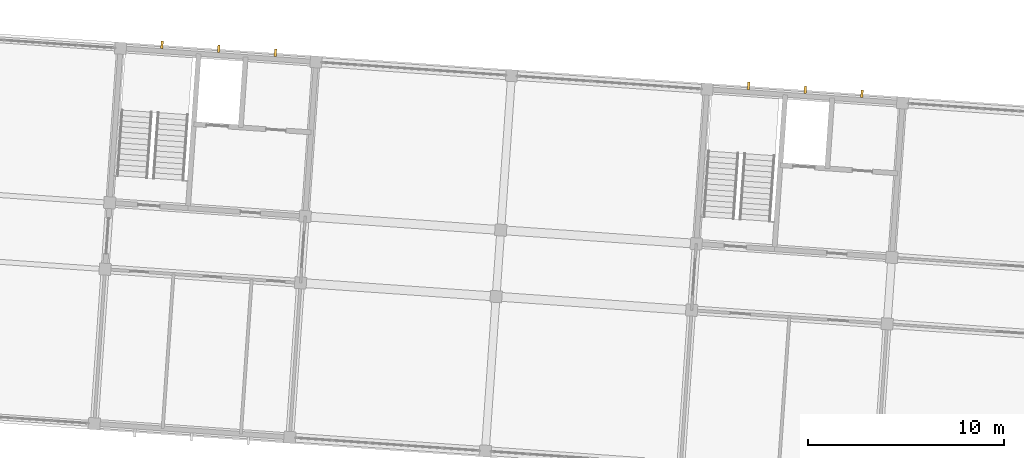
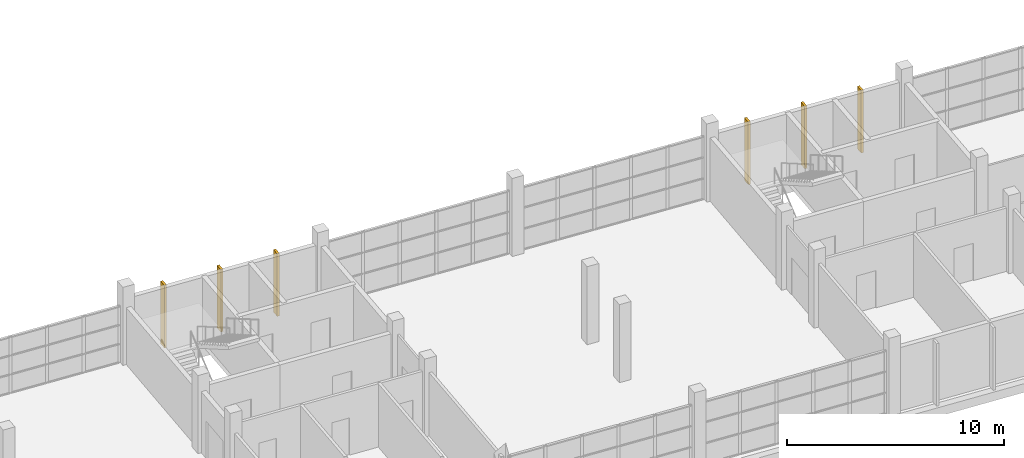
# One storey, part 115 of 115: 6 shading devices.
"""IFC4 building model written with IfcOpenShell, lengths in metres."""

from ifc_helpers import new_model, si_unit, direction, frame, origin, place, context, subcontext, project, spatial, polyline, outline, extrude, material, type_object, element, save


model = new_model("IFC4")

# Units and contexts
model_context = context("Model", 3, precision=1e-05, world=origin(), true_north=direction((0.0, 1.0)))
body_context = subcontext(model_context, "Body", "Model", "MODEL_VIEW")
ifc_project = project(units=[si_unit("LENGTHUNIT", "METRE"), si_unit("AREAUNIT", "SQUARE_METRE"), si_unit("VOLUMEUNIT", "CUBIC_METRE"), si_unit("PLANEANGLEUNIT", "RADIAN"), si_unit("MASSUNIT", "GRAM", prefix="KILO")], contexts=[model_context])

# Site, building, storey
site_placement = place(None, origin())
site = spatial("IfcSite", under=ifc_project, at=site_placement, CompositionType="ELEMENT")
building_placement = place(site_placement, origin())
building = spatial("IfcBuilding", under=site, at=building_placement, Name="Windward Yard Aquatics Centre", CompositionType="ELEMENT")
storey_placement = place(building_placement, frame((0.0, 0.0, 5.0)))
storey = spatial("IfcBuildingStorey", under=building, at=storey_placement, Name="L01", CompositionType="ELEMENT", Elevation=5.0)

# Shading devices
ifc_material = material(Name="Timber-look aluminium batten, powder coated", Category="wood")
shading_device_type = type_object("IfcShadingDeviceType", Name="W vertical fin 120x400", PredefinedType="USERDEFINED", material=ifc_material)
shading_device_1_placement = place(storey_placement, origin())
element("IfcShadingDevice", 1, at=shading_device_1_placement, inside=storey, type_object=shading_device_type, Name="Vertical fin W.FW.L01.N.46.8.1.1", ObjectType="FIN", PredefinedType="USERDEFINED", context=body_context, shape_type="SweptSolid", body=[
    extrude(outline(polyline([(121.221923828125, 135.302978515625), (121.341796875, 135.294921875), (121.36962890625, 135.69384765625), (121.25, 135.7021484375), (121.221923828125, 135.302978515625)])), origin(), (0.0, 0.0, 1.0), 3.52001953125),
])
shading_device_2_placement = place(storey_placement, origin())
element("IfcShadingDevice", 2, at=shading_device_2_placement, inside=storey, type_object=shading_device_type, Name="Vertical fin W.FW.L01.N.46.8.1.2", ObjectType="FIN", PredefinedType="USERDEFINED", context=body_context, shape_type="SweptSolid", body=[
    extrude(outline(polyline([(124.114990234375, 135.100830078125), (124.234619140625, 135.092529296875), (124.262451171875, 135.491455078125), (124.142822265625, 135.5), (124.114990234375, 135.100830078125)])), origin(), (0.0, 0.0, 1.0), 3.52001953125),
])
shading_device_3_placement = place(storey_placement, origin())
element("IfcShadingDevice", 3, at=shading_device_3_placement, inside=storey, type_object=shading_device_type, Name="Vertical fin W.FW.L01.N.46.8.1.3", ObjectType="FIN", PredefinedType="USERDEFINED", context=body_context, shape_type="SweptSolid", body=[
    extrude(outline(polyline([(127.0078125, 134.8984375), (127.127685546875, 134.89013671875), (127.155517578125, 135.289306640625), (127.035888671875, 135.297607421875), (127.0078125, 134.8984375)])), origin(), (0.0, 0.0, 1.0), 3.52001953125),
])
shading_device_4_placement = place(storey_placement, origin())
element("IfcShadingDevice", 4, at=shading_device_4_placement, inside=storey, type_object=shading_device_type, Name="Vertical fin W.FW.L01.N.76.8.1.1", ObjectType="FIN", PredefinedType="USERDEFINED", context=body_context, shape_type="SweptSolid", body=[
    extrude(outline(polyline([(151.14892578125, 133.21044921875), (151.2685546875, 133.2021484375), (151.29638671875, 133.60107421875), (151.1767578125, 133.609375), (151.14892578125, 133.21044921875)])), origin(), (0.0, 0.0, 1.0), 3.52001953125),
])
shading_device_5_placement = place(storey_placement, origin())
element("IfcShadingDevice", 5, at=shading_device_5_placement, inside=storey, type_object=shading_device_type, Name="Vertical fin W.FW.L01.N.76.8.1.2", ObjectType="FIN", PredefinedType="USERDEFINED", context=body_context, shape_type="SweptSolid", body=[
    extrude(outline(polyline([(154.041748046875, 133.008056640625), (154.16162109375, 132.999755859375), (154.189453125, 133.398681640625), (154.069580078125, 133.4072265625), (154.041748046875, 133.008056640625)])), origin(), (0.0, 0.0, 1.0), 3.52001953125),
])
shading_device_6_placement = place(storey_placement, origin())
element("IfcShadingDevice", 6, at=shading_device_6_placement, inside=storey, type_object=shading_device_type, Name="Vertical fin W.FW.L01.N.76.8.1.3", ObjectType="FIN", PredefinedType="USERDEFINED", context=body_context, shape_type="SweptSolid", body=[
    extrude(outline(polyline([(156.934814453125, 132.805908203125), (157.054443359375, 132.797607421875), (157.08251953125, 133.196533203125), (156.962646484375, 133.204833984375), (156.934814453125, 132.805908203125)])), origin(), (0.0, 0.0, 1.0), 3.52001953125),
])

save(model, "model.ifc")
